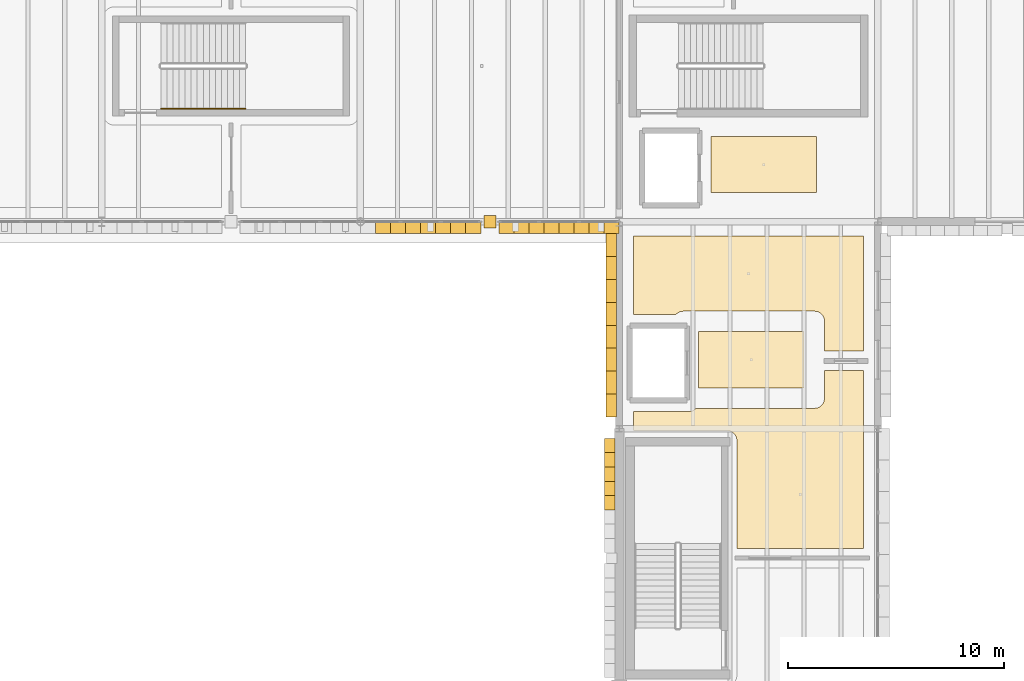
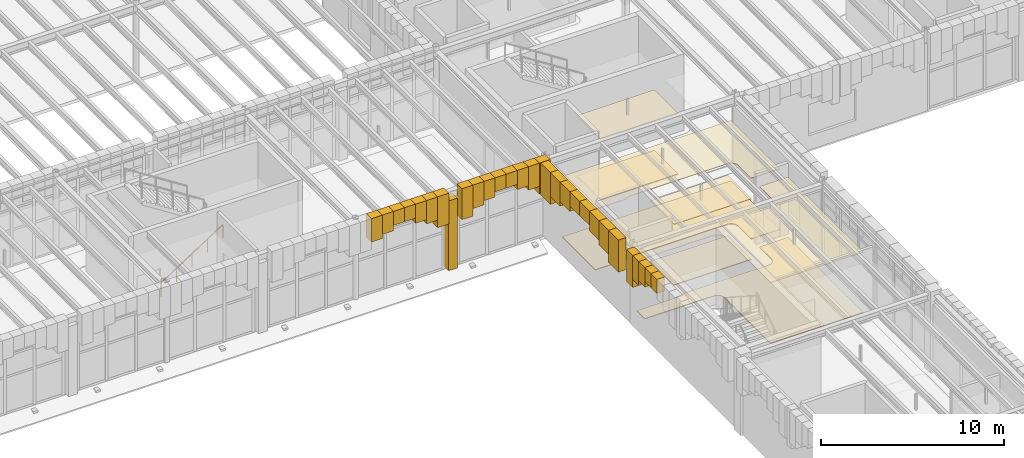
# One storey, part 86 of 100: 37 coverings, 1 railing.
"""IFC4 building model written with IfcOpenShell, lengths in metres."""

from ifc_helpers import new_model, si_unit, direction, frame, origin, origin_2d, place, context, subcontext, project, spatial, polyline, circle, outline, extrude, material, layer, layer_set, type_object, element, save


model = new_model("IFC4")

# Units and contexts
model_context = context("Model", 3, precision=1e-05, world=origin(), true_north=direction((0.0, 1.0)))
body_context = subcontext(model_context, "Body", "Model", "MODEL_VIEW")
ifc_project = project(units=[si_unit("LENGTHUNIT", "METRE"), si_unit("AREAUNIT", "SQUARE_METRE"), si_unit("VOLUMEUNIT", "CUBIC_METRE"), si_unit("PLANEANGLEUNIT", "RADIAN"), si_unit("MASSUNIT", "GRAM", prefix="KILO")], contexts=[model_context])

# Site, building, storey
site_placement = place(None, origin())
site = spatial("IfcSite", under=ifc_project, at=site_placement, CompositionType="ELEMENT")
building_placement = place(site_placement, origin())
building = spatial("IfcBuilding", under=site, at=building_placement, Name="Zlatogorsky Bluff Art Gallery", CompositionType="ELEMENT")
storey_placement = place(building_placement, frame((0.0, 0.0, 5.39990234375)))
storey = spatial("IfcBuildingStorey", under=building, at=storey_placement, Name="L01", CompositionType="ELEMENT", Elevation=5.39990234375)

# Coverings
ifc_material_1 = material(Name="Perforated Gypsum Acoustic Board", Category="gypsum")
ifc_layer_1 = layer(ifc_material_1, 0.0400390625)
ifc_layer_set_1 = layer_set([ifc_layer_1], Name="Acoustic Gallery Ceiling CLG-01")
covering_type_1 = type_object("IfcCoveringType", Name="Acoustic Gallery Ceiling CLG-01", PredefinedType="CEILING", material=ifc_layer_set_1)
covering_1_placement = place(storey_placement, frame((0.0, 0.0, 4.050048828125)))
element("IfcCovering", 1, at=covering_1_placement, inside=storey, type_object=covering_type_1, Name="Firefighting Lift Lobby FL-1 acoustic ceiling", PredefinedType="CEILING", context=body_context, shape_type="SweptSolid", body=[
    extrude(outline(polyline([(128.570068359375, 78.89990234375), (128.570068359375, 76.300048828125), (123.669921875, 76.300048828125), (123.669921875, 78.89990234375), (128.570068359375, 78.89990234375)])), origin(), (0.0, 0.0, 1.0), 0.0400390625),
])
covering_2_placement = place(storey_placement, frame((0.0, 0.0, 4.050048828125)))
element("IfcCovering", 2, at=covering_2_placement, inside=storey, type_object=covering_type_1, Name="Firefighting Lift Lobby FL-2 acoustic ceiling", PredefinedType="CEILING", context=body_context, shape_type="SweptSolid", body=[
    extrude(outline(polyline([(129.14990234375, 87.949951171875), (129.14990234375, 85.35009765625), (124.25, 85.35009765625), (124.25, 87.949951171875), (129.14990234375, 87.949951171875)])), origin(), (0.0, 0.0, 1.0), 0.0400390625),
])
covering_3_placement = place(storey_placement, frame((0.0, 0.0, 4.050048828125)))
element("IfcCovering", 3, at=covering_3_placement, inside=storey, type_object=covering_type_1, Name="L01 Conservation Link Corridor acoustic ceiling", PredefinedType="CEILING", context=body_context, shape_type="SweptSolid", body=[
    extrude(outline(polyline([(123.219970703125, 75.199951171875), (123.26416015625, 75.2021484375), (123.307861328125, 75.20849609375), (123.3505859375, 75.219482421875), (123.39208984375, 75.234375), (123.43212890625, 75.253173828125), (123.469970703125, 75.27587890625), (123.505615234375, 75.302001953125), (123.5380859375, 75.331787109375), (123.5546875, 75.35009765625), (129.070068359375, 75.35009765625), (129.114013671875, 75.352294921875), (129.15771484375, 75.358642578125), (129.20068359375, 75.369384765625), (129.2421875, 75.38427734375), (129.281982421875, 75.403076171875), (129.320068359375, 75.42578125), (129.35546875, 75.4521484375), (129.38818359375, 75.481689453125), (129.41796875, 75.514404296875), (129.444091796875, 75.550048828125), (129.466796875, 75.587890625), (129.485595703125, 75.627685546875), (129.50048828125, 75.66943359375), (129.511474609375, 75.712158203125), (129.517822265625, 75.755859375), (129.52001953125, 75.800048828125), (129.52001953125, 77.094970703125), (131.330078125, 77.094970703125), (131.330078125, 68.85009765625), (125.4599609375, 68.85009765625), (125.4599609375, 73.85107421875), (125.457763671875, 73.895263671875), (125.451416015625, 73.939208984375), (125.451171875, 73.940185546875), (125.44921875, 73.94970703125), (125.448974609375, 73.950439453125), (125.43701171875, 73.993896484375), (125.4208984375, 74.03564453125), (125.42041015625, 74.03662109375), (125.419921875, 74.03759765625), (125.402099609375, 74.0732421875), (125.401611328125, 74.07421875), (125.382080078125, 74.106201171875), (125.359619140625, 74.13671875), (125.3583984375, 74.13818359375), (125.3251953125, 74.17529296875), (125.2880859375, 74.20849609375), (125.28662109375, 74.209716796875), (125.25634765625, 74.23193359375), (125.22412109375, 74.251708984375), (125.22314453125, 74.252197265625), (125.1875, 74.27001953125), (125.185791015625, 74.270751953125), (125.143798828125, 74.287109375), (125.1005859375, 74.298828125), (125.099609375, 74.299072265625), (125.09033203125, 74.301025390625), (125.08935546875, 74.30126953125), (125.04541015625, 74.307861328125), (125.0009765625, 74.31005859375), (120.669921875, 74.31005859375), (120.669921875, 75.199951171875), (123.219970703125, 75.199951171875)])), origin(), (0.0, 0.0, 1.0), 0.0400390625),
])
covering_4_placement = place(storey_placement, frame((0.0, 0.0, 4.050048828125)))
element("IfcCovering", 4, at=covering_4_placement, inside=storey, type_object=covering_type_1, Name="L01 Conservation Link Corridor acoustic ceiling", PredefinedType="CEILING", context=body_context, shape_type="SweptSolid", body=[
    extrude(outline(polyline([(120.669921875, 83.330078125), (131.330078125, 83.330078125), (131.330078125, 77.9951171875), (129.52001953125, 77.9951171875), (129.52001953125, 79.39990234375), (129.517822265625, 79.444091796875), (129.511474609375, 79.48779296875), (129.50048828125, 79.530517578125), (129.485595703125, 79.572265625), (129.466796875, 79.612060546875), (129.444091796875, 79.64990234375), (129.41796875, 79.685546875), (129.38818359375, 79.71826171875), (129.35546875, 79.747802734375), (129.320068359375, 79.774169921875), (129.281982421875, 79.796875), (129.2421875, 79.815673828125), (129.20068359375, 79.83056640625), (129.15771484375, 79.84130859375), (129.114013671875, 79.847900390625), (129.070068359375, 79.85009765625), (122.969970703125, 79.85009765625), (122.92578125, 79.847900390625), (122.882080078125, 79.84130859375), (122.83935546875, 79.83056640625), (122.7978515625, 79.815673828125), (122.7578125, 79.796875), (122.719970703125, 79.774169921875), (122.6845703125, 79.747802734375), (122.65185546875, 79.71826171875), (122.63525390625, 79.699951171875), (120.669921875, 79.699951171875), (120.669921875, 83.330078125)])), origin(), (0.0, 0.0, 1.0), 0.0400390625),
])
ifc_material_2 = material(Name="Honed Red Agra-Tone Quartzitic Sandstone", Category="masonry")
ifc_layer_2 = layer(ifc_material_2, 0.1201171875)
ifc_layer_set_2 = layer_set([ifc_layer_2], Name="Carved Sandstone Cladding CLD-02")
covering_type_2 = type_object("IfcCoveringType", Name="Carved Sandstone Cladding CLD-02", PredefinedType="CLADDING", material=ifc_layer_set_2)
covering_5_placement = place(storey_placement, frame((0.0, 0.0, -0.02978515625)))
element("IfcCovering", 5, at=covering_5_placement, inside=storey, type_object=covering_type_2, Name="Mughal dalan central sandstone pier L01 S 9.8", PredefinedType="CLADDING", context=body_context, shape_type="SweptSolid", body=[
    extrude(outline(polyline([(113.719970703125, 83.719970703125), (114.280029296875, 83.719970703125), (114.280029296875, 84.280029296875), (113.719970703125, 84.280029296875), (113.719970703125, 83.719970703125)])), origin(), (0.0, 0.0, 1.0), 4.659912109375),
])
covering_6_placement = place(storey_placement, frame((0.0, 0.0, 3.7998046875)))
element("IfcCovering", 6, at=covering_6_placement, inside=storey, type_object=covering_type_2, Name="Pointed Mughal arch voussoir spandrel ARCH-CW-L01-S-09-08-A.2", PredefinedType="CLADDING", context=body_context, shape_type="SweptSolid", body=[
    extrude(outline(polyline([(108.697509765625, 83.4599609375), (109.39501953125, 83.4599609375), (109.39501953125, 84.030029296875), (108.697509765625, 84.030029296875), (108.697509765625, 83.4599609375)])), origin(), (0.0, 0.0, 1.0), 1.560302734375),
])
covering_7_placement = place(storey_placement, frame((0.0, 0.0, 4.076416015625)))
element("IfcCovering", 7, at=covering_7_placement, inside=storey, type_object=covering_type_2, Name="Pointed Mughal arch voussoir spandrel ARCH-CW-L01-S-09-08-A.3", PredefinedType="CLADDING", context=body_context, shape_type="SweptSolid", body=[
    extrude(outline(polyline([(109.39501953125, 83.4599609375), (110.092529296875, 83.4599609375), (110.092529296875, 84.030029296875), (109.39501953125, 84.030029296875), (109.39501953125, 83.4599609375)])), origin(), (0.0, 0.0, 1.0), 1.28369140625),
])
covering_8_placement = place(storey_placement, frame((0.0, 0.0, 4.424560546875)))
element("IfcCovering", 8, at=covering_8_placement, inside=storey, type_object=covering_type_2, Name="Pointed Mughal arch voussoir spandrel ARCH-CW-L01-S-09-08-A.4", PredefinedType="CLADDING", context=body_context, shape_type="SweptSolid", body=[
    extrude(outline(polyline([(110.092529296875, 83.4599609375), (110.7900390625, 83.4599609375), (110.7900390625, 84.030029296875), (110.092529296875, 84.030029296875), (110.092529296875, 83.4599609375)])), origin(), (0.0, 0.0, 1.0), 0.935546875),
])
covering_9_placement = place(storey_placement, frame((0.0, 0.0, 4.424560546875)))
element("IfcCovering", 9, at=covering_9_placement, inside=storey, type_object=covering_type_2, Name="Pointed Mughal arch voussoir spandrel ARCH-CW-L01-S-09-08-A.5", PredefinedType="CLADDING", context=body_context, shape_type="SweptSolid", body=[
    extrude(outline(polyline([(110.7900390625, 83.4599609375), (111.487548828125, 83.4599609375), (111.487548828125, 84.030029296875), (110.7900390625, 84.030029296875), (110.7900390625, 83.4599609375)])), origin(), (0.0, 0.0, 1.0), 0.935546875),
])
covering_10_placement = place(storey_placement, frame((0.0, 0.0, 4.076416015625)))
element("IfcCovering", 10, at=covering_10_placement, inside=storey, type_object=covering_type_2, Name="Pointed Mughal arch voussoir spandrel ARCH-CW-L01-S-09-08-A.6", PredefinedType="CLADDING", context=body_context, shape_type="SweptSolid", body=[
    extrude(outline(polyline([(111.487548828125, 83.4599609375), (112.18505859375, 83.4599609375), (112.18505859375, 84.030029296875), (111.487548828125, 84.030029296875), (111.487548828125, 83.4599609375)])), origin(), (0.0, 0.0, 1.0), 1.28369140625),
])
covering_11_placement = place(storey_placement, frame((0.0, 0.0, 3.7998046875)))
element("IfcCovering", 11, at=covering_11_placement, inside=storey, type_object=covering_type_2, Name="Pointed Mughal arch voussoir spandrel ARCH-CW-L01-S-09-08-A.7", PredefinedType="CLADDING", context=body_context, shape_type="SweptSolid", body=[
    extrude(outline(polyline([(112.18505859375, 83.4599609375), (112.882568359375, 83.4599609375), (112.882568359375, 84.030029296875), (112.18505859375, 84.030029296875), (112.18505859375, 83.4599609375)])), origin(), (0.0, 0.0, 1.0), 1.560302734375),
])
covering_12_placement = place(storey_placement, frame((0.0, 0.0, 3.2978515625)))
element("IfcCovering", 12, at=covering_12_placement, inside=storey, type_object=covering_type_2, Name="Pointed Mughal arch voussoir spandrel ARCH-CW-L01-S-09-08-A.8", PredefinedType="CLADDING", context=body_context, shape_type="SweptSolid", body=[
    extrude(outline(polyline([(112.882568359375, 83.4599609375), (113.580078125, 83.4599609375), (113.580078125, 84.030029296875), (112.882568359375, 84.030029296875), (112.882568359375, 83.4599609375)])), origin(), (0.0, 0.0, 1.0), 2.062255859375),
])
covering_13_placement = place(storey_placement, frame((0.0, 0.0, 3.2978515625)))
element("IfcCovering", 13, at=covering_13_placement, inside=storey, type_object=covering_type_2, Name="Pointed Mughal arch voussoir spandrel ARCH-CW-L01-S-09-08-B.1", PredefinedType="CLADDING", context=body_context, shape_type="SweptSolid", body=[
    extrude(outline(polyline([(114.419921875, 83.4599609375), (115.117431640625, 83.4599609375), (115.117431640625, 84.030029296875), (114.419921875, 84.030029296875), (114.419921875, 83.4599609375)])), origin(), (0.0, 0.0, 1.0), 2.062255859375),
])
covering_14_placement = place(storey_placement, frame((0.0, 0.0, 3.7998046875)))
element("IfcCovering", 14, at=covering_14_placement, inside=storey, type_object=covering_type_2, Name="Pointed Mughal arch voussoir spandrel ARCH-CW-L01-S-09-08-B.2", PredefinedType="CLADDING", context=body_context, shape_type="SweptSolid", body=[
    extrude(outline(polyline([(115.117431640625, 83.4599609375), (115.81494140625, 83.4599609375), (115.81494140625, 84.030029296875), (115.117431640625, 84.030029296875), (115.117431640625, 83.4599609375)])), origin(), (0.0, 0.0, 1.0), 1.560302734375),
])
covering_15_placement = place(storey_placement, frame((0.0, 0.0, 4.076416015625)))
element("IfcCovering", 15, at=covering_15_placement, inside=storey, type_object=covering_type_2, Name="Pointed Mughal arch voussoir spandrel ARCH-CW-L01-S-09-08-B.3", PredefinedType="CLADDING", context=body_context, shape_type="SweptSolid", body=[
    extrude(outline(polyline([(115.81494140625, 83.4599609375), (116.512451171875, 83.4599609375), (116.512451171875, 84.030029296875), (115.81494140625, 84.030029296875), (115.81494140625, 83.4599609375)])), origin(), (0.0, 0.0, 1.0), 1.28369140625),
])
covering_16_placement = place(storey_placement, frame((0.0, 0.0, 4.424560546875)))
element("IfcCovering", 16, at=covering_16_placement, inside=storey, type_object=covering_type_2, Name="Pointed Mughal arch voussoir spandrel ARCH-CW-L01-S-09-08-B.4", PredefinedType="CLADDING", context=body_context, shape_type="SweptSolid", body=[
    extrude(outline(polyline([(116.512451171875, 83.4599609375), (117.2099609375, 83.4599609375), (117.2099609375, 84.030029296875), (116.512451171875, 84.030029296875), (116.512451171875, 83.4599609375)])), origin(), (0.0, 0.0, 1.0), 0.935546875),
])
covering_17_placement = place(storey_placement, frame((0.0, 0.0, 4.424560546875)))
element("IfcCovering", 17, at=covering_17_placement, inside=storey, type_object=covering_type_2, Name="Pointed Mughal arch voussoir spandrel ARCH-CW-L01-S-09-08-B.5", PredefinedType="CLADDING", context=body_context, shape_type="SweptSolid", body=[
    extrude(outline(polyline([(117.2099609375, 83.4599609375), (117.907470703125, 83.4599609375), (117.907470703125, 84.030029296875), (117.2099609375, 84.030029296875), (117.2099609375, 83.4599609375)])), origin(), (0.0, 0.0, 1.0), 0.935546875),
])
covering_18_placement = place(storey_placement, frame((0.0, 0.0, 4.076416015625)))
element("IfcCovering", 18, at=covering_18_placement, inside=storey, type_object=covering_type_2, Name="Pointed Mughal arch voussoir spandrel ARCH-CW-L01-S-09-08-B.6", PredefinedType="CLADDING", context=body_context, shape_type="SweptSolid", body=[
    extrude(outline(polyline([(117.907470703125, 83.4599609375), (118.60498046875, 83.4599609375), (118.60498046875, 84.030029296875), (117.907470703125, 84.030029296875), (117.907470703125, 83.4599609375)])), origin(), (0.0, 0.0, 1.0), 1.28369140625),
])
covering_19_placement = place(storey_placement, frame((0.0, 0.0, 3.7998046875)))
element("IfcCovering", 19, at=covering_19_placement, inside=storey, type_object=covering_type_2, Name="Pointed Mughal arch voussoir spandrel ARCH-CW-L01-S-09-08-B.7", PredefinedType="CLADDING", context=body_context, shape_type="SweptSolid", body=[
    extrude(outline(polyline([(118.60498046875, 83.4599609375), (119.302490234375, 83.4599609375), (119.302490234375, 84.030029296875), (118.60498046875, 84.030029296875), (118.60498046875, 83.4599609375)])), origin(), (0.0, 0.0, 1.0), 1.560302734375),
])
covering_20_placement = place(storey_placement, frame((0.0, 0.0, 3.2978515625)))
element("IfcCovering", 20, at=covering_20_placement, inside=storey, type_object=covering_type_2, Name="Pointed Mughal arch voussoir spandrel ARCH-CW-L01-S-09-08-B.8", PredefinedType="CLADDING", context=body_context, shape_type="SweptSolid", body=[
    extrude(outline(polyline([(119.302490234375, 83.4599609375), (120.0, 83.4599609375), (120.0, 84.030029296875), (119.302490234375, 84.030029296875), (119.302490234375, 83.4599609375)])), origin(), (0.0, 0.0, 1.0), 2.062255859375),
])
covering_21_placement = place(storey_placement, frame((0.0, 0.0, 4.41552734375)))
element("IfcCovering", 21, at=covering_21_placement, inside=storey, type_object=covering_type_2, Name="Pointed Mughal arch voussoir spandrel WARCH-L01-W-10-06-B.4", PredefinedType="CLADDING", context=body_context, shape_type="SweptSolid", body=[
    extrude(outline(polyline([(119.320068359375, 70.637451171875), (119.320068359375, 71.300048828125), (119.81005859375, 71.300048828125), (119.81005859375, 70.637451171875), (119.320068359375, 70.637451171875)])), origin(), (0.0, 0.0, 1.0), 0.944580078125),
])
covering_22_placement = place(storey_placement, frame((0.0, 0.0, 4.41552734375)))
element("IfcCovering", 22, at=covering_22_placement, inside=storey, type_object=covering_type_2, Name="Pointed Mughal arch voussoir spandrel WARCH-L01-W-10-06-B.5", PredefinedType="CLADDING", context=body_context, shape_type="SweptSolid", body=[
    extrude(outline(polyline([(119.320068359375, 71.300048828125), (119.320068359375, 71.96240234375), (119.81005859375, 71.96240234375), (119.81005859375, 71.300048828125), (119.320068359375, 71.300048828125)])), origin(), (0.0, 0.0, 1.0), 0.944580078125),
])
covering_23_placement = place(storey_placement, frame((0.0, 0.0, 4.046875)))
element("IfcCovering", 23, at=covering_23_placement, inside=storey, type_object=covering_type_2, Name="Pointed Mughal arch voussoir spandrel WARCH-L01-W-10-06-B.6", PredefinedType="CLADDING", context=body_context, shape_type="SweptSolid", body=[
    extrude(outline(polyline([(119.320068359375, 71.96240234375), (119.320068359375, 72.625), (119.81005859375, 72.625), (119.81005859375, 71.96240234375), (119.320068359375, 71.96240234375)])), origin(), (0.0, 0.0, 1.0), 1.313232421875),
])
covering_24_placement = place(storey_placement, frame((0.0, 0.0, 3.75390625)))
element("IfcCovering", 24, at=covering_24_placement, inside=storey, type_object=covering_type_2, Name="Pointed Mughal arch voussoir spandrel WARCH-L01-W-10-06-B.7", PredefinedType="CLADDING", context=body_context, shape_type="SweptSolid", body=[
    extrude(outline(polyline([(119.320068359375, 72.625), (119.320068359375, 73.28759765625), (119.81005859375, 73.28759765625), (119.81005859375, 72.625), (119.320068359375, 72.625)])), origin(), (0.0, 0.0, 1.0), 1.606201171875),
])
covering_25_placement = place(storey_placement, frame((0.0, 0.0, 3.222412109375)))
element("IfcCovering", 25, at=covering_25_placement, inside=storey, type_object=covering_type_2, Name="Pointed Mughal arch voussoir spandrel WARCH-L01-W-10-06-B.8", PredefinedType="CLADDING", context=body_context, shape_type="SweptSolid", body=[
    extrude(outline(polyline([(119.320068359375, 73.28759765625), (119.320068359375, 73.949951171875), (119.81005859375, 73.949951171875), (119.81005859375, 73.28759765625), (119.320068359375, 73.28759765625)])), origin(), (0.0, 0.0, 1.0), 2.1376953125),
])
covering_26_placement = place(storey_placement, frame((0.0, 0.0, 3.222412109375)))
element("IfcCovering", 26, at=covering_26_placement, inside=storey, type_object=covering_type_2, Name="Pointed Mughal arch voussoir spandrel WARCH-L01-W-10-07-A.1", PredefinedType="CLADDING", context=body_context, shape_type="SweptSolid", body=[
    extrude(outline(polyline([(119.3798828125, 74.949951171875), (119.3798828125, 76.012451171875), (119.8701171875, 76.012451171875), (119.8701171875, 74.949951171875), (119.3798828125, 74.949951171875)])), origin(), (0.0, 0.0, 1.0), 2.1376953125),
])
covering_27_placement = place(storey_placement, frame((0.0, 0.0, 3.75390625)))
element("IfcCovering", 27, at=covering_27_placement, inside=storey, type_object=covering_type_2, Name="Pointed Mughal arch voussoir spandrel WARCH-L01-W-10-07-A.2", PredefinedType="CLADDING", context=body_context, shape_type="SweptSolid", body=[
    extrude(outline(polyline([(119.3798828125, 76.012451171875), (119.3798828125, 77.074951171875), (119.8701171875, 77.074951171875), (119.8701171875, 76.012451171875), (119.3798828125, 76.012451171875)])), origin(), (0.0, 0.0, 1.0), 1.606201171875),
])
covering_28_placement = place(storey_placement, frame((0.0, 0.0, 4.046875)))
element("IfcCovering", 28, at=covering_28_placement, inside=storey, type_object=covering_type_2, Name="Pointed Mughal arch voussoir spandrel WARCH-L01-W-10-07-A.3", PredefinedType="CLADDING", context=body_context, shape_type="SweptSolid", body=[
    extrude(outline(polyline([(119.3798828125, 77.074951171875), (119.3798828125, 78.137451171875), (119.8701171875, 78.137451171875), (119.8701171875, 77.074951171875), (119.3798828125, 77.074951171875)])), origin(), (0.0, 0.0, 1.0), 1.313232421875),
])
covering_29_placement = place(storey_placement, frame((0.0, 0.0, 4.41552734375)))
element("IfcCovering", 29, at=covering_29_placement, inside=storey, type_object=covering_type_2, Name="Pointed Mughal arch voussoir spandrel WARCH-L01-W-10-07-A.4", PredefinedType="CLADDING", context=body_context, shape_type="SweptSolid", body=[
    extrude(outline(polyline([(119.3798828125, 78.137451171875), (119.3798828125, 79.199951171875), (119.8701171875, 79.199951171875), (119.8701171875, 78.137451171875), (119.3798828125, 78.137451171875)])), origin(), (0.0, 0.0, 1.0), 0.944580078125),
])
covering_30_placement = place(storey_placement, frame((0.0, 0.0, 4.41552734375)))
element("IfcCovering", 30, at=covering_30_placement, inside=storey, type_object=covering_type_2, Name="Pointed Mughal arch voussoir spandrel WARCH-L01-W-10-07-A.5", PredefinedType="CLADDING", context=body_context, shape_type="SweptSolid", body=[
    extrude(outline(polyline([(119.3798828125, 79.199951171875), (119.3798828125, 80.262451171875), (119.8701171875, 80.262451171875), (119.8701171875, 79.199951171875), (119.3798828125, 79.199951171875)])), origin(), (0.0, 0.0, 1.0), 0.944580078125),
])
covering_31_placement = place(storey_placement, frame((0.0, 0.0, 4.046875)))
element("IfcCovering", 31, at=covering_31_placement, inside=storey, type_object=covering_type_2, Name="Pointed Mughal arch voussoir spandrel WARCH-L01-W-10-07-A.6", PredefinedType="CLADDING", context=body_context, shape_type="SweptSolid", body=[
    extrude(outline(polyline([(119.3798828125, 80.262451171875), (119.3798828125, 81.324951171875), (119.8701171875, 81.324951171875), (119.8701171875, 80.262451171875), (119.3798828125, 80.262451171875)])), origin(), (0.0, 0.0, 1.0), 1.313232421875),
])
covering_32_placement = place(storey_placement, frame((0.0, 0.0, 3.75390625)))
element("IfcCovering", 32, at=covering_32_placement, inside=storey, type_object=covering_type_2, Name="Pointed Mughal arch voussoir spandrel WARCH-L01-W-10-07-A.7", PredefinedType="CLADDING", context=body_context, shape_type="SweptSolid", body=[
    extrude(outline(polyline([(119.3798828125, 81.324951171875), (119.3798828125, 82.387451171875), (119.8701171875, 82.387451171875), (119.8701171875, 81.324951171875), (119.3798828125, 81.324951171875)])), origin(), (0.0, 0.0, 1.0), 1.606201171875),
])
covering_33_placement = place(storey_placement, frame((0.0, 0.0, 3.222412109375)))
element("IfcCovering", 33, at=covering_33_placement, inside=storey, type_object=covering_type_2, Name="Pointed Mughal arch voussoir spandrel WARCH-L01-W-10-07-A.8", PredefinedType="CLADDING", context=body_context, shape_type="SweptSolid", body=[
    extrude(outline(polyline([(119.3798828125, 82.387451171875), (119.3798828125, 83.449951171875), (119.8701171875, 83.449951171875), (119.8701171875, 82.387451171875), (119.3798828125, 82.387451171875)])), origin(), (0.0, 0.0, 1.0), 2.1376953125),
])

# Railing
ifc_material_3 = material(Name="Brushed Stainless Steel", Category="steel")
railing_type = type_object("IfcRailingType", Name="Stair Pitch Handrail 900mm", PredefinedType="HANDRAIL", material=ifc_material_3)
railing_placement = place(storey_placement, frame((98.75, 89.25, 0.18017578125)))
element("IfcRailing", 34, at=railing_placement, inside=storey, type_object=railing_type, Name="L01 ST-01 stair handrail 1", PredefinedType="HANDRAIL", context=body_context, shape_type="SweptSolid", body=[
    extrude(circle(Radius=0.02392578125, at=origin_2d()), frame((0.0, 0.0, 0.8759765625), z_axis=(0.841171666519, 0.0, 0.540768182723), x_axis=(0.0, 1.0, 0.0)), (0.0, 0.0, 1.0), 4.66015625),
    extrude(circle(Radius=0.02099609375, at=origin_2d()), origin(), (0.0, 0.0, 1.0), 0.851806640625),
    extrude(circle(Radius=0.02099609375, at=origin_2d()), frame((0.97998046875, 0.0, 0.6298828125)), (0.0, 0.0, 1.0), 0.851806640625),
    extrude(circle(Radius=0.02099609375, at=origin_2d()), frame((1.9599609375, 0.0, 1.260009765625)), (0.0, 0.0, 1.0), 0.851806640625),
    extrude(circle(Radius=0.02099609375, at=origin_2d()), frame((2.93994140625, 0.0, 1.89013671875)), (0.0, 0.0, 1.0), 0.851806640625),
    extrude(circle(Radius=0.02099609375, at=origin_2d()), frame((3.919921875, 0.0, 2.52001953125)), (0.0, 0.0, 1.0), 0.851806640625),
])

# Coverings
ifc_material_4 = material(Name="Polished Ural Marble Terrazzo", Category="masonry")
ifc_layer_3 = layer(ifc_material_4, 0.050048828125)
ifc_layer_set_3 = layer_set([ifc_layer_3], Name="Terrazzo Gallery Flooring FLR-01")
covering_type_3 = type_object("IfcCoveringType", Name="Terrazzo Gallery Flooring FLR-01", PredefinedType="FLOORING", material=ifc_layer_set_3)
covering_34_placement = place(storey_placement, origin())
element("IfcCovering", 35, at=covering_34_placement, inside=storey, type_object=covering_type_3, Name="Firefighting Lift Lobby FL-1 terrazzo floor finish", PredefinedType="FLOORING", context=body_context, shape_type="SweptSolid", body=[
    extrude(outline(polyline([(128.570068359375, 78.89990234375), (128.570068359375, 76.300048828125), (123.669921875, 76.300048828125), (123.669921875, 78.89990234375), (128.570068359375, 78.89990234375)])), origin(), (0.0, 0.0, 1.0), 0.050048828125),
])
covering_35_placement = place(storey_placement, origin())
element("IfcCovering", 36, at=covering_35_placement, inside=storey, type_object=covering_type_3, Name="Firefighting Lift Lobby FL-2 terrazzo floor finish", PredefinedType="FLOORING", context=body_context, shape_type="SweptSolid", body=[
    extrude(outline(polyline([(129.14990234375, 87.949951171875), (129.14990234375, 85.35009765625), (124.25, 85.35009765625), (124.25, 87.949951171875), (129.14990234375, 87.949951171875)])), origin(), (0.0, 0.0, 1.0), 0.050048828125),
])
covering_36_placement = place(storey_placement, origin())
element("IfcCovering", 37, at=covering_36_placement, inside=storey, type_object=covering_type_3, Name="L01 Conservation Link Corridor terrazzo floor finish", PredefinedType="FLOORING", context=body_context, shape_type="SweptSolid", body=[
    extrude(outline(polyline([(123.219970703125, 75.199951171875), (123.26416015625, 75.2021484375), (123.307861328125, 75.20849609375), (123.3505859375, 75.219482421875), (123.39208984375, 75.234375), (123.43212890625, 75.253173828125), (123.469970703125, 75.27587890625), (123.505615234375, 75.302001953125), (123.5380859375, 75.331787109375), (123.5546875, 75.35009765625), (129.070068359375, 75.35009765625), (129.114013671875, 75.352294921875), (129.15771484375, 75.358642578125), (129.20068359375, 75.369384765625), (129.2421875, 75.38427734375), (129.281982421875, 75.403076171875), (129.320068359375, 75.42578125), (129.35546875, 75.4521484375), (129.38818359375, 75.481689453125), (129.41796875, 75.514404296875), (129.444091796875, 75.550048828125), (129.466796875, 75.587890625), (129.485595703125, 75.627685546875), (129.50048828125, 75.66943359375), (129.511474609375, 75.712158203125), (129.517822265625, 75.755859375), (129.52001953125, 75.800048828125), (129.52001953125, 77.094970703125), (131.330078125, 77.094970703125), (131.330078125, 68.85009765625), (125.4599609375, 68.85009765625), (125.4599609375, 73.85107421875), (125.457763671875, 73.895263671875), (125.451416015625, 73.939208984375), (125.451171875, 73.940185546875), (125.44921875, 73.94970703125), (125.448974609375, 73.950439453125), (125.43701171875, 73.993896484375), (125.4208984375, 74.03564453125), (125.42041015625, 74.03662109375), (125.419921875, 74.03759765625), (125.402099609375, 74.0732421875), (125.401611328125, 74.07421875), (125.382080078125, 74.106201171875), (125.359619140625, 74.13671875), (125.3583984375, 74.13818359375), (125.3251953125, 74.17529296875), (125.2880859375, 74.20849609375), (125.28662109375, 74.209716796875), (125.25634765625, 74.23193359375), (125.22412109375, 74.251708984375), (125.22314453125, 74.252197265625), (125.1875, 74.27001953125), (125.185791015625, 74.270751953125), (125.143798828125, 74.287109375), (125.1005859375, 74.298828125), (125.099609375, 74.299072265625), (125.09033203125, 74.301025390625), (125.08935546875, 74.30126953125), (125.04541015625, 74.307861328125), (125.0009765625, 74.31005859375), (120.669921875, 74.31005859375), (120.669921875, 75.199951171875), (123.219970703125, 75.199951171875)])), origin(), (0.0, 0.0, 1.0), 0.050048828125),
])
covering_37_placement = place(storey_placement, origin())
element("IfcCovering", 38, at=covering_37_placement, inside=storey, type_object=covering_type_3, Name="L01 Conservation Link Corridor terrazzo floor finish", PredefinedType="FLOORING", context=body_context, shape_type="SweptSolid", body=[
    extrude(outline(polyline([(120.669921875, 83.330078125), (131.330078125, 83.330078125), (131.330078125, 77.9951171875), (129.52001953125, 77.9951171875), (129.52001953125, 79.39990234375), (129.517822265625, 79.444091796875), (129.511474609375, 79.48779296875), (129.50048828125, 79.530517578125), (129.485595703125, 79.572265625), (129.466796875, 79.612060546875), (129.444091796875, 79.64990234375), (129.41796875, 79.685546875), (129.38818359375, 79.71826171875), (129.35546875, 79.747802734375), (129.320068359375, 79.774169921875), (129.281982421875, 79.796875), (129.2421875, 79.815673828125), (129.20068359375, 79.83056640625), (129.15771484375, 79.84130859375), (129.114013671875, 79.847900390625), (129.070068359375, 79.85009765625), (122.969970703125, 79.85009765625), (122.92578125, 79.847900390625), (122.882080078125, 79.84130859375), (122.83935546875, 79.83056640625), (122.7978515625, 79.815673828125), (122.7578125, 79.796875), (122.719970703125, 79.774169921875), (122.6845703125, 79.747802734375), (122.65185546875, 79.71826171875), (122.63525390625, 79.699951171875), (120.669921875, 79.699951171875), (120.669921875, 83.330078125)])), origin(), (0.0, 0.0, 1.0), 0.050048828125),
])

save(model, "model.ifc")
